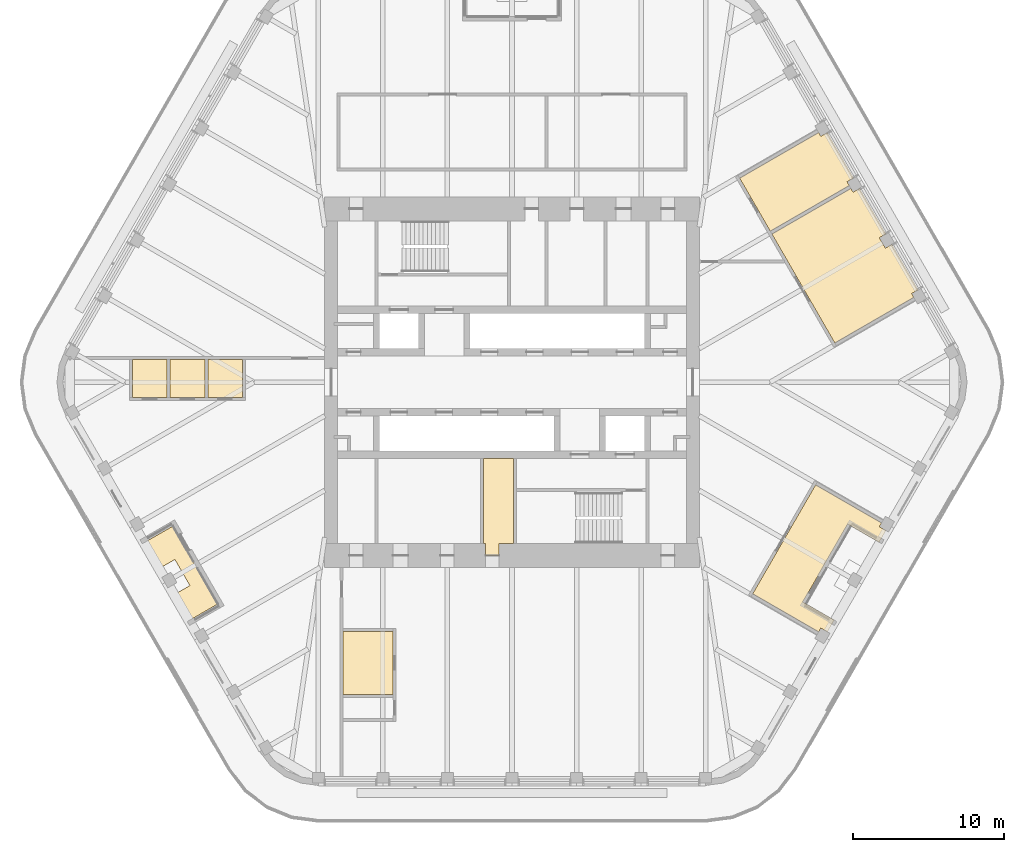
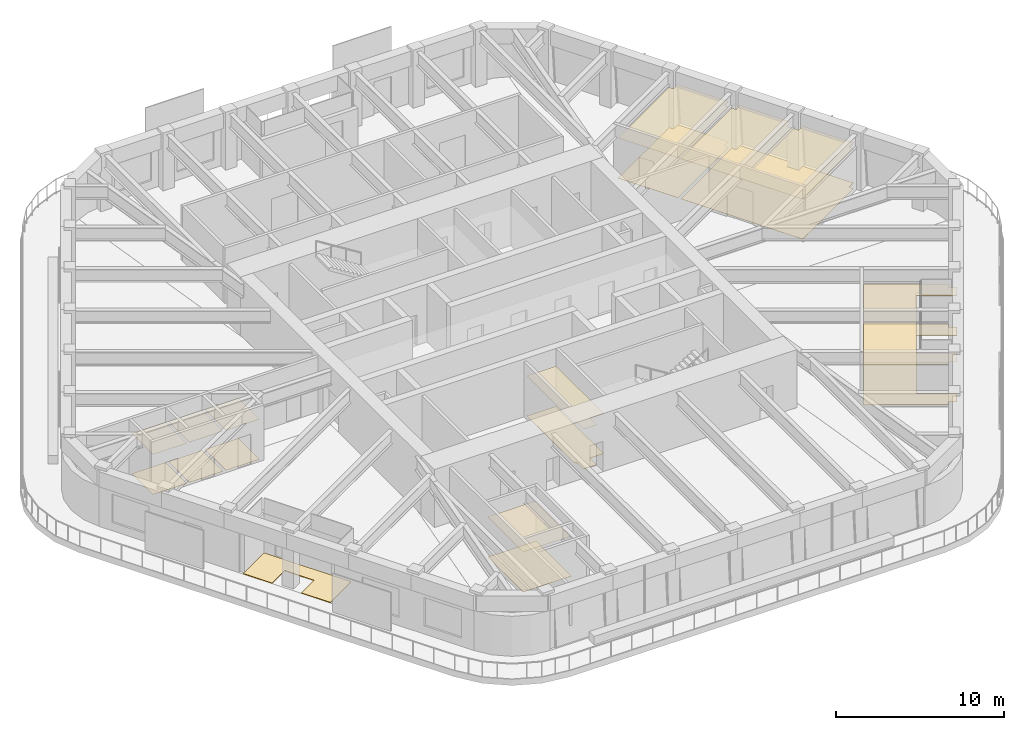
# One storey, part 17 of 19: 5 coverings.
"""IFC4 building model written with IfcOpenShell, lengths in metres."""

from ifc_helpers import new_model, si_unit, direction, frame, origin, place, context, subcontext, project, spatial, polyline, outline, extrude, material, layer, layer_set, type_object, element, save


model = new_model("IFC4")

# Units and contexts
model_context = context("Model", 3, precision=1e-05, world=origin(), true_north=direction((0.0, 1.0)))
body_context = subcontext(model_context, "Body", "Model", "MODEL_VIEW")
ifc_project = project(units=[si_unit("LENGTHUNIT", "METRE"), si_unit("AREAUNIT", "SQUARE_METRE"), si_unit("VOLUMEUNIT", "CUBIC_METRE"), si_unit("PLANEANGLEUNIT", "RADIAN"), si_unit("MASSUNIT", "GRAM", prefix="KILO")], contexts=[model_context])

# Site, building, storey
site_placement = place(None, origin())
site = spatial("IfcSite", under=ifc_project, at=site_placement, CompositionType="ELEMENT")
building_placement = place(site_placement, origin())
building = spatial("IfcBuilding", under=site, at=building_placement, Name="Tarfa Lantern Tower", CompositionType="ELEMENT")
storey_placement = place(building_placement, frame((0.0, 0.0, 387.10009765625)))
storey = spatial("IfcBuildingStorey", under=building, at=storey_placement, Name="L88", CompositionType="ELEMENT", Elevation=387.10009765625)

# Coverings
ifc_material_1 = material(Name="Mineral fibre acoustic tile on suspension grid", Category="finish")
ifc_layer_1 = layer(ifc_material_1, 0.02001953125)
ifc_layer_set_1 = layer_set([ifc_layer_1], Name="CL1 ACOUSTIC TILE CEILING 20")
covering_type_1 = type_object("IfcCoveringType", Name="CL1 ACOUSTIC TILE CEILING 20", PredefinedType="CEILING", material=ifc_layer_set_1)
covering_1_placement = place(storey_placement, frame((0.0, 0.0, 2.89990234375)))
element("IfcCovering", 1, at=covering_1_placement, inside=storey, type_object=covering_type_1, Name="Ceiling L88 CL1", PredefinedType="CEILING", context=body_context, shape_type="SweptSolid", body=[
    extrude(outline(polyline([(17.24072265625, 9.83837890625), (22.47998046875, 12.86328125), (22.630126953125, 12.603515625), (23.06298828125, 12.853515625), (24.80419921875, 9.838134765625), (24.37109375, 9.588134765625), (24.77099609375, 8.895263671875), (25.2041015625, 9.145263671875), (26.945068359375, 6.129638671875), (26.511962890625, 5.879638671875), (26.662109375, 5.619873046875), (21.422607421875, 2.594970703125), (17.24072265625, 9.83837890625)])), origin(), (0.0, 0.0, 1.0), 0.02001953125),
    extrude(outline(polyline([(15.099609375, 13.546630859375), (20.339111328125, 16.57177734375), (20.489013671875, 16.31201171875), (20.922119140625, 16.56201171875), (22.6630859375, 13.54638671875), (22.22998046875, 13.29638671875), (22.380126953125, 13.03662109375), (17.140625, 10.01171875), (15.099609375, 13.546630859375)])), origin(), (0.0, 0.0, 1.0), 0.02001953125),
    extrude(outline(polyline([(20.147705078125, -6.80322265625), (24.52099609375, -9.328369140625), (24.37109375, -9.588134765625), (24.80419921875, -9.838134765625), (24.35400390625, -10.617431640625), (22.275634765625, -9.41748046875), (19.293701171875, -14.58251953125), (21.3720703125, -15.782470703125), (20.922119140625, -16.56201171875), (20.489013671875, -16.31201171875), (20.339111328125, -16.57177734375), (15.965576171875, -14.046630859375), (20.147705078125, -6.80322265625)])), origin(), (0.0, 0.0, 1.0), 0.02001953125),
    extrude(outline(polyline([(-20.181884765625, -1.0), (-20.181884765625, 1.5), (-17.8818359375, 1.5), (-17.8818359375, -1.0), (-20.181884765625, -1.0)])), origin(), (0.0, 0.0, 1.0), 0.02001953125),
    extrude(outline(polyline([(-22.681884765625, -1.0), (-22.681884765625, 1.5), (-20.3818359375, 1.5), (-20.3818359375, -1.0), (-22.681884765625, -1.0)])), origin(), (0.0, 0.0, 1.0), 0.02001953125),
    extrude(outline(polyline([(-25.181884765625, -1.0), (-25.181884765625, 1.5), (-22.8818359375, 1.5), (-22.8818359375, -1.0), (-25.181884765625, -1.0)])), origin(), (0.0, 0.0, 1.0), 0.02001953125),
    extrude(outline(polyline([(-7.89990234375, -20.72509765625), (-11.199951171875, -20.72509765625), (-11.199951171875, -16.52490234375), (-7.89990234375, -16.52490234375), (-7.89990234375, -20.72509765625)])), origin(), (0.0, 0.0, 1.0), 0.02001953125),
])
ifc_material_2 = material(Name="Moisture-resistant plasterboard", Category="finish")
ifc_layer_2 = layer(ifc_material_2, 0.014892578125)
ifc_layer_set_2 = layer_set([ifc_layer_2], Name="CL2 MOISTURE-RESISTANT PLASTERBOARD CEILING 15")
covering_type_2 = type_object("IfcCoveringType", Name="CL2 MOISTURE-RESISTANT PLASTERBOARD CEILING 15", PredefinedType="CEILING", material=ifc_layer_set_2)
covering_2_placement = place(storey_placement, frame((0.0, 0.0, 2.89990234375)))
element("IfcCovering", 2, at=covering_2_placement, inside=storey, type_object=covering_type_2, Name="Ceiling L88-13", PredefinedType="CEILING", context=body_context, shape_type="SweptSolid", body=[
    extrude(outline(polyline([(-0.85009765625, -10.699951171875), (0.10009765625, -10.699951171875), (0.10009765625, -5.050048828125), (-1.89990234375, -5.050048828125), (-1.89990234375, -10.699951171875), (-1.75, -10.699951171875), (-1.75, -11.5), (-1.75, -11.5), (-0.85009765625, -11.5), (-0.85009765625, -10.699951171875)])), origin(), (0.0, 0.0, 1.0), 0.014892578125),
])
ifc_material_3 = material(Name="Nylon carpet tile", Category="finish")
ifc_layer_3 = layer(ifc_material_3, 0.010009765625)
ifc_layer_set_3 = layer_set([ifc_layer_3], Name="FL1 CARPET TILE 10")
covering_type_3 = type_object("IfcCoveringType", Name="FL1 CARPET TILE 10", PredefinedType="FLOORING", material=ifc_layer_set_3)
covering_3_placement = place(storey_placement, origin())
element("IfcCovering", 3, at=covering_3_placement, inside=storey, type_object=covering_type_3, Name="Floor finish L88 FL1", PredefinedType="FLOORING", context=body_context, shape_type="SweptSolid", body=[
    extrude(outline(polyline([(17.24072265625, 9.83837890625), (22.47998046875, 12.86328125), (22.630126953125, 12.603515625), (23.06298828125, 12.853515625), (24.80419921875, 9.838134765625), (24.37109375, 9.588134765625), (24.77099609375, 8.895263671875), (25.2041015625, 9.145263671875), (26.945068359375, 6.129638671875), (26.511962890625, 5.879638671875), (26.662109375, 5.619873046875), (21.422607421875, 2.594970703125), (17.24072265625, 9.83837890625)])), origin(), (0.0, 0.0, 1.0), 0.010009765625),
    extrude(outline(polyline([(15.099609375, 13.546630859375), (20.339111328125, 16.57177734375), (20.489013671875, 16.31201171875), (20.922119140625, 16.56201171875), (22.6630859375, 13.54638671875), (22.22998046875, 13.29638671875), (22.380126953125, 13.03662109375), (17.140625, 10.01171875), (15.099609375, 13.546630859375)])), origin(), (0.0, 0.0, 1.0), 0.010009765625),
    extrude(outline(polyline([(20.147705078125, -6.80322265625), (24.52099609375, -9.328369140625), (24.37109375, -9.588134765625), (24.80419921875, -9.838134765625), (24.35400390625, -10.617431640625), (22.275634765625, -9.41748046875), (19.293701171875, -14.58251953125), (21.3720703125, -15.782470703125), (20.922119140625, -16.56201171875), (20.489013671875, -16.31201171875), (20.339111328125, -16.57177734375), (15.965576171875, -14.046630859375), (20.147705078125, -6.80322265625)])), origin(), (0.0, 0.0, 1.0), 0.010009765625),
    extrude(outline(polyline([(-20.181884765625, -1.0), (-20.181884765625, 1.5), (-17.8818359375, 1.5), (-17.8818359375, -1.0), (-20.181884765625, -1.0)])), origin(), (0.0, 0.0, 1.0), 0.010009765625),
    extrude(outline(polyline([(-22.681884765625, -1.0), (-22.681884765625, 1.5), (-20.3818359375, 1.5), (-20.3818359375, -1.0), (-22.681884765625, -1.0)])), origin(), (0.0, 0.0, 1.0), 0.010009765625),
    extrude(outline(polyline([(-25.181884765625, -1.0), (-25.181884765625, 1.5), (-22.8818359375, 1.5), (-22.8818359375, -1.0), (-25.181884765625, -1.0)])), origin(), (0.0, 0.0, 1.0), 0.010009765625),
    extrude(outline(polyline([(-7.89990234375, -20.72509765625), (-11.199951171875, -20.72509765625), (-11.199951171875, -16.52490234375), (-7.89990234375, -16.52490234375), (-7.89990234375, -20.72509765625)])), origin(), (0.0, 0.0, 1.0), 0.010009765625),
])
ifc_material_4 = material(Name="Porcelain floor tile", Category="finish")
ifc_layer_4 = layer(ifc_material_4, 0.011962890625)
ifc_layer_set_4 = layer_set([ifc_layer_4], Name="FL3 CERAMIC TILE 12")
covering_type_4 = type_object("IfcCoveringType", Name="FL3 CERAMIC TILE 12", PredefinedType="FLOORING", material=ifc_layer_set_4)
covering_4_placement = place(storey_placement, origin())
element("IfcCovering", 4, at=covering_4_placement, inside=storey, type_object=covering_type_4, Name="Floor finish L88-13", PredefinedType="FLOORING", context=body_context, shape_type="SweptSolid", body=[
    extrude(outline(polyline([(-0.85009765625, -10.699951171875), (0.10009765625, -10.699951171875), (0.10009765625, -5.050048828125), (-1.89990234375, -5.050048828125), (-1.89990234375, -10.699951171875), (-1.75, -10.699951171875), (-1.75, -11.5), (-1.75, -11.5), (-0.85009765625, -11.5), (-0.85009765625, -10.699951171875)])), origin(), (0.0, 0.0, 1.0), 0.011962890625),
])
ifc_material_5 = material(Name="Porcelain pavers on pedestals", Category="ceramic")
ifc_layer_5 = layer(ifc_material_5, 0.0400390625)
ifc_layer_set_5 = layer_set([ifc_layer_5], Name="LP1 LOGGIA PAVING 40")
covering_type_5 = type_object("IfcCoveringType", Name="LP1 LOGGIA PAVING 40", PredefinedType="FLOORING", material=ifc_layer_set_5)
covering_5_placement = place(storey_placement, origin())
element("IfcCovering", 5, at=covering_5_placement, inside=storey, type_object=covering_type_5, Name="Terrace paving SW", PredefinedType="FLOORING", context=body_context, shape_type="SweptSolid", body=[
    extrude(outline(polyline([(-24.6572265625, -10.79248046875), (-22.509521484375, -9.552490234375), (-19.52734375, -14.717529296875), (-21.67529296875, -15.95751953125), (-22.666259765625, -14.240966796875), (-21.3671875, -13.490966796875), (-22.3671875, -11.759033203125), (-23.666259765625, -12.509033203125), (-24.6572265625, -10.79248046875)])), origin(), (0.0, 0.0, 1.0), 0.039794921875),
])

save(model, "model.ifc")
